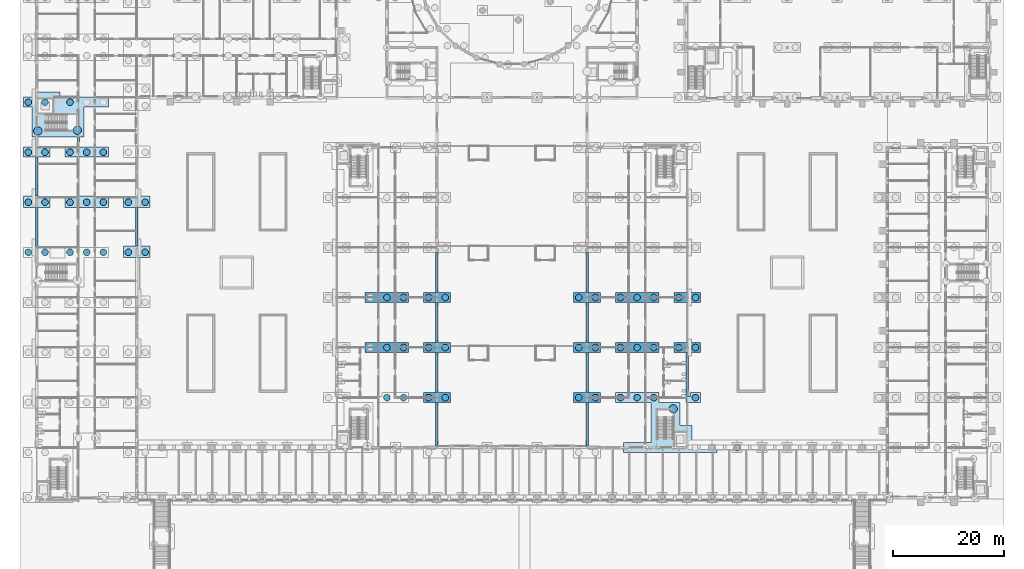
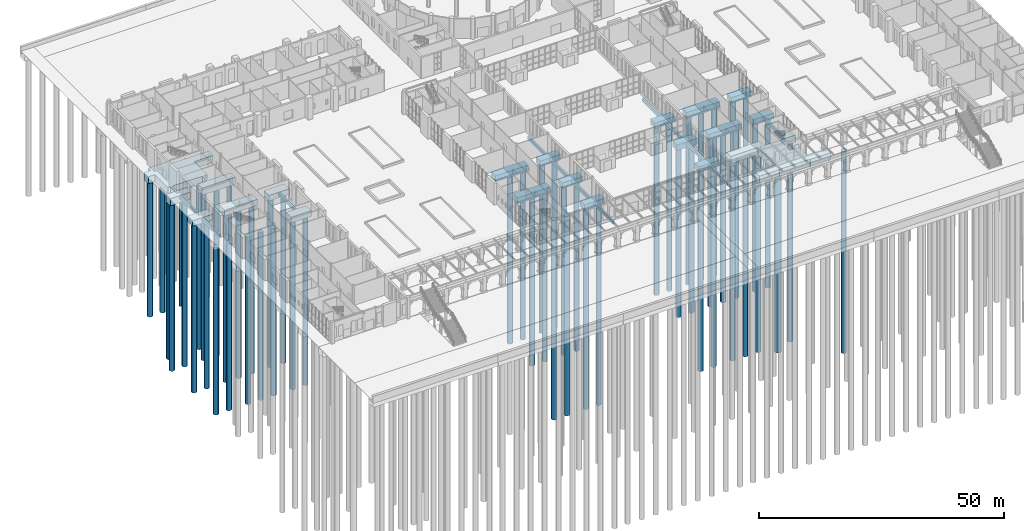
# One storey, part 3 of 168: 58 piles, 30 footings.
"""IFC4 building model written with IfcOpenShell, lengths in metres."""

import ifcopenshell
import ifcopenshell.guid

model = None  # the IFC model being written
_history = None  # IfcOwnerHistory: only IFC2X3 demands one
_inside = {}  # id of a spatial element -> (the spatial element, [elements in it])
_under = {}  # id of a project, library or spatial element -> (it, [spatial elements below it])
_declared = {}  # id of a project -> (the project, [libraries it declares])
_typed = {}  # id of a type object -> (the type object, [elements of that type])
_made_of = {}  # id of a material, layer set ... -> (it, [elements and type objects made of it])


def new_model(schema):
    """Start an empty IFC model of exactly this schema.

    Asked for "IFC4X3", IfcOpenShell would pick the latest addendum, in which some entities
    have other attributes; the version numbers below select the first issue.
    IFC2X3 requires an IfcOwnerHistory on every rooted entity: one is made here for all.
    """
    global model, _history
    if schema == "IFC4X3":
        model = ifcopenshell.file(schema_version=(4, 3, 0, 0))
    else:
        model = ifcopenshell.file(schema=schema)
    _inside.clear()
    _under.clear()
    _declared.clear()
    _typed.clear()
    _made_of.clear()
    _history = None
    if model.schema == "IFC2X3":
        org = make("IfcOrganization", Name="unknown")
        user = make(
            "IfcPersonAndOrganization",
            ThePerson=make("IfcPerson", FamilyName="unknown"),
            TheOrganization=org,
        )
        app = make(
            "IfcApplication",
            ApplicationDeveloper=org,
            Version="unknown",
            ApplicationFullName="unknown",
            ApplicationIdentifier="unknown",
        )
        _history = make(
            "IfcOwnerHistory",
            OwningUser=user,
            OwningApplication=app,
            ChangeAction="ADDED",
            CreationDate=0,
        )
    return model


def make(cls, **values):
    """One entity of the class cls with the attributes given. An attribute that is None is left unset."""
    return model.create_entity(
        cls, **{name: value for name, value in values.items() if value is not None}
    )


def rooted(cls, **values):
    """An entity with a GlobalId (a new one), such as an element, a storey or a relation."""
    return make(cls, GlobalId=ifcopenshell.guid.new(), OwnerHistory=_history, **values)


def si_unit(unit_type, name, prefix=None):
    """IfcSIUnit, for example si_unit("LENGTHUNIT", "METRE", prefix="MILLI")."""
    return make("IfcSIUnit", UnitType=unit_type, Prefix=prefix, Name=name)


def assignment(units):
    """IfcUnitAssignment: the units of a project."""
    return None if units is None else make("IfcUnitAssignment", Units=units)


def point(xyz):
    """IfcCartesianPoint."""
    return None if xyz is None else make("IfcCartesianPoint", Coordinates=xyz)


def direction(xyz):
    """IfcDirection."""
    return None if xyz is None else make("IfcDirection", DirectionRatios=xyz)


def frame(location, z_axis=None, x_axis=None):
    """IfcAxis2Placement3D, a coordinate frame: its origin and axes. An axis left out is left unset."""
    return make(
        "IfcAxis2Placement3D",
        Location=point(location),
        Axis=direction(z_axis),
        RefDirection=direction(x_axis),
    )


def frame_2d(location, x_axis=None):
    """IfcAxis2Placement2D, a coordinate frame in the plane: its origin and x axis."""
    return make(
        "IfcAxis2Placement2D", Location=point(location), RefDirection=direction(x_axis)
    )


def origin():
    """The frame at (0, 0, 0) with its axes left unset."""
    return frame((0.0, 0.0, 0.0))


def origin_2d():
    """The frame at (0, 0) in the plane with its x axis left unset."""
    return frame_2d((0.0, 0.0))


def place(relative_to, where):
    """IfcLocalPlacement: puts the frame where relative to a parent placement (None: the world)."""
    return make(
        "IfcLocalPlacement", PlacementRelTo=relative_to, RelativePlacement=where
    )


def context(
    kind, dimensions, precision=None, world=None, true_north=None, identifier=None
):
    """IfcGeometricRepresentationContext, for example the 3D "Model" context."""
    return make(
        "IfcGeometricRepresentationContext",
        ContextIdentifier=identifier,
        ContextType=kind,
        CoordinateSpaceDimension=dimensions,
        Precision=precision,
        WorldCoordinateSystem=world,
        TrueNorth=true_north,
    )


def subcontext(parent, identifier, kind, view, scale=None):
    """IfcGeometricRepresentationSubContext, for example "Body" below "Model"."""
    return make(
        "IfcGeometricRepresentationSubContext",
        ContextIdentifier=identifier,
        ContextType=kind,
        ParentContext=parent,
        TargetScale=scale,
        TargetView=view,
    )


def project(units=None, contexts=None):
    """IfcProject with its units and contexts."""
    return rooted(
        "IfcProject",
        Name="project",
        RepresentationContexts=contexts,
        UnitsInContext=assignment(units),
    )


def spatial(cls, under=None, at=None, **own):
    """A site, building, storey or space (cls), placed at a placement, below another one or the project."""
    s = rooted(cls, ObjectPlacement=at, **own)
    if under is not None:
        _under.setdefault(under.id(), (under, []))[1].append(s)
    return s


def polyline(points):
    """IfcPolyline through the points."""
    return make("IfcPolyline", Points=[point(p) for p in points])


def profile(cls, at=None, kind="AREA", **sizes):
    """A parametric profile (cls). Its sizes go by their IFC names, for example OverallWidth=200.0."""
    return make(cls, ProfileType=kind, Position=at, **sizes)


def circle(**sizes):
    """IfcCircleProfileDef."""
    return profile("IfcCircleProfileDef", **sizes)


def outline(outer, holes=None, kind="AREA"):
    """IfcArbitraryClosedProfileDef: a profile drawn as a closed curve; with holes, ...WithVoids."""
    if holes is None:
        return make("IfcArbitraryClosedProfileDef", ProfileType=kind, OuterCurve=outer)
    return make(
        "IfcArbitraryProfileDefWithVoids",
        ProfileType=kind,
        OuterCurve=outer,
        InnerCurves=holes,
    )


def extrude(swept, where, along, depth):
    """IfcExtrudedAreaSolid: the profile swept, set in the frame where, extruded along a direction by depth."""
    return make(
        "IfcExtrudedAreaSolid",
        SweptArea=swept,
        Position=where,
        ExtrudedDirection=direction(along),
        Depth=depth,
    )


def shape(context_of_items, identifier, shape_type, items):
    """IfcShapeRepresentation: the items that make up one representation, for example the "Body"."""
    return make(
        "IfcShapeRepresentation",
        ContextOfItems=context_of_items,
        RepresentationIdentifier=identifier,
        RepresentationType=shape_type,
        Items=items,
    )


def material(Name=None, Category=None):
    """IfcMaterial."""
    return make("IfcMaterial", Name=Name, Category=Category)


def material_profile(
    of_material, cross_section, Name=None, Category=None, Priority=None
):
    """IfcMaterialProfile: a cross section and its material."""
    return make(
        "IfcMaterialProfile",
        Name=Name,
        Material=of_material,
        Profile=cross_section,
        Priority=Priority,
        Category=Category,
    )


def profile_set(profiles, Name=None, composite=None):
    """IfcMaterialProfileSet."""
    return make(
        "IfcMaterialProfileSet",
        Name=Name,
        MaterialProfiles=profiles,
        CompositeProfile=composite,
    )


def made_of(thing, what):
    """Note that an element or type object is made of a material, layer set ...; save() writes the relation."""
    if what is not None:
        _made_of.setdefault(what.id(), (what, []))[1].append(thing)
    return thing


def type_object(cls, material=None, **own):
    """A type object (cls), such as IfcWallType, which elements share."""
    return made_of(rooted(cls, **own), material)


def element(
    cls,
    number,
    at=None,
    inside=None,
    cuts=None,
    type_object=None,
    material=None,
    context=None,
    identifier="Body",
    shape_type=None,
    held_by="IfcProductDefinitionShape",
    body=None,
    shapes=None,
    **own,
):
    """One element of the class cls, such as IfcWall. Its Tag is "e" and its number.

    at: its placement. inside: the storey or other place that contains it. cuts: it is an
    opening in that element (IfcRelVoidsElement). A single representation is given by context,
    identifier, shape_type and body (its items); several are given by shapes. held_by: the class
    of the entity that holds the representations. save() writes the other relations.
    """
    e = rooted(cls, Tag="e%d" % number, ObjectPlacement=at, **own)
    if body is not None:
        shapes = [shape(context, identifier, shape_type, body)]
    if shapes is not None:
        e.Representation = make(held_by, Representations=shapes)
    if inside is not None:
        _inside.setdefault(inside.id(), (inside, []))[1].append(e)
    if cuts is not None:
        rooted(
            "IfcRelVoidsElement", RelatingBuildingElement=cuts, RelatedOpeningElement=e
        )
    if type_object is not None:
        _typed.setdefault(type_object.id(), (type_object, []))[1].append(e)
    return made_of(e, material)


def aggregate(whole, parts):
    """IfcRelAggregates: a whole, such as a stair, and the parts it consists of."""
    return rooted("IfcRelAggregates", RelatingObject=whole, RelatedObjects=parts)


def save(model, path):
    """Write the relations noted so far, then the file.

    IfcRelAggregates (storeys below a building ...), IfcRelContainedInSpatialStructure (elements
    in a storey), IfcRelDefinesByType, IfcRelAssociatesMaterial and IfcRelDeclares: one each for
    every whole, place, type object, material and project.
    """
    for whole, parts in _under.values():
        aggregate(whole, parts)
    for where, things in _inside.values():
        rooted(
            "IfcRelContainedInSpatialStructure",
            RelatedElements=things,
            RelatingStructure=where,
        )
    for kind, things in _typed.values():
        rooted("IfcRelDefinesByType", RelatedObjects=things, RelatingType=kind)
    for what, things in _made_of.values():
        rooted("IfcRelAssociatesMaterial", RelatedObjects=things, RelatingMaterial=what)
    for by, libraries in _declared.values():
        rooted("IfcRelDeclares", RelatingContext=by, RelatedDefinitions=libraries)
    model.write(path)


model = new_model("IFC4")

# Units and contexts
model_context = context("Model", 3, precision=1e-05, world=origin(), true_north=direction((0.0, 1.0)))
body_context = subcontext(model_context, "Body", "Model", "MODEL_VIEW")
ifc_project = project(units=[si_unit("LENGTHUNIT", "METRE"), si_unit("AREAUNIT", "SQUARE_METRE"), si_unit("VOLUMEUNIT", "CUBIC_METRE"), si_unit("PLANEANGLEUNIT", "RADIAN"), si_unit("MASSUNIT", "GRAM", prefix="KILO")], contexts=[model_context])

# Site, building, storey
site_placement = place(None, origin())
site = spatial("IfcSite", under=ifc_project, at=site_placement, CompositionType="ELEMENT")
building_placement = place(site_placement, origin())
building = spatial("IfcBuilding", under=site, at=building_placement, Name="Golden Quay Civic Hall", CompositionType="ELEMENT")
storey_placement = place(building_placement, origin())
storey = spatial("IfcBuildingStorey", under=building, at=storey_placement, Name="L00", CompositionType="ELEMENT", Elevation=0.0)

# Piles
ifc_material_1 = material(Name="Concrete C40/50", Category="concrete")
ifc_material_profile_1 = material_profile(ifc_material_1, circle(Radius=0.60009765625, at=origin_2d()), Name="RC D1200")
ifc_profile_set_1 = profile_set([ifc_material_profile_1], Name="Concrete C40/50")
pile_type_1 = type_object("IfcPileType", Name="Bored pile 1200", PredefinedType="BORED", material=ifc_profile_set_1)
for number, where, z_axis, x_axis, name in (
    (1, (-1.5, 35.134033203125, -2.300048828125), (0.0, 0.0, -1.0), (1.0, 0.0, 0.0), "PL1 bored pile"),
    (2, (1.5, 35.134033203125, -2.300048828125), (0.0, 0.0, -1.0), (1.0, 0.0, 0.0), "PL1 bored pile"),
    (3, (6.0, 35.134033203125, -2.300048828125), (0.0, 0.0, -1.0), (1.0, 0.0, 0.0), "PL1 bored pile"),
    (4, (9.0, 35.134033203125, -2.300048828125), (0.0, 0.0, -1.0), (1.0, 0.0, 0.0), "PL1 bored pile"),
    (5, (12.0, 35.134033203125, -2.300048828125), (0.0, 0.0, -1.0), (1.0, 0.0, 0.0), "PL1 bored pile"),
):
    element("IfcPile", number, at=place(storey_placement, frame(where, z_axis=z_axis, x_axis=x_axis)), inside=storey, type_object=pile_type_1, Name=name, PredefinedType="BORED", context=body_context, shape_type="SweptSolid", body=[
        extrude(circle(Radius=0.60009765625, at=origin_2d()), origin(), (0.0, 0.0, 1.0), 41.699951171875),
    ])
for number, where, z_axis, x_axis, name in (
    (6, (-1.5, 44.134033203125, -1.89990234375), (0.0, 0.0, -1.0), (1.0, 0.0, 0.0), "PL1 bored pile"),
    (7, (1.5, 44.134033203125, -1.89990234375), (0.0, 0.0, -1.0), (1.0, 0.0, 0.0), "PL1 bored pile"),
):
    element("IfcPile", number, at=place(storey_placement, frame(where, z_axis=z_axis, x_axis=x_axis)), inside=storey, type_object=pile_type_1, Name=name, PredefinedType="BORED", context=body_context, shape_type="SweptSolid", body=[
        extrude(circle(Radius=0.60009765625, at=origin_2d()), origin(), (0.0, 0.0, 1.0), 42.10009765625),
    ])
pile_1_placement = place(storey_placement, frame((-1.5, 53.134033203125, -2.300048828125), z_axis=(0.0, 0.0, -1.0), x_axis=(1.0, 0.0, 0.0)))
element("IfcPile", 8, at=pile_1_placement, inside=storey, type_object=pile_type_1, Name="PL1 bored pile", PredefinedType="BORED", context=body_context, shape_type="SweptSolid", body=[
    extrude(circle(Radius=0.60009765625, at=origin_2d()), origin(), (0.0, 0.0, 1.0), 41.699951171875),
])
pile_2_placement = place(storey_placement, frame((-1.5, 62.134033203125, -2.300048828125), z_axis=(0.0, 0.0, -1.0), x_axis=(1.0, 0.0, 0.0)))
element("IfcPile", 9, at=pile_2_placement, inside=storey, type_object=pile_type_1, Name="PL1 bored pile", PredefinedType="BORED", context=body_context, shape_type="SweptSolid", body=[
    extrude(circle(Radius=0.60009765625, at=origin_2d()), origin(), (0.0, 0.0, 1.0), 33.699951171875),
])
pile_3_placement = place(storey_placement, frame((1.5, 53.134033203125, -2.300048828125), z_axis=(0.0, 0.0, -1.0), x_axis=(1.0, 0.0, 0.0)))
element("IfcPile", 10, at=pile_3_placement, inside=storey, type_object=pile_type_1, Name="PL1 bored pile", PredefinedType="BORED", context=body_context, shape_type="SweptSolid", body=[
    extrude(circle(Radius=0.60009765625, at=origin_2d()), origin(), (0.0, 0.0, 1.0), 41.699951171875),
])
pile_4_placement = place(storey_placement, frame((1.5, 62.134033203125, -2.300048828125), z_axis=(0.0, 0.0, -1.0), x_axis=(1.0, 0.0, 0.0)))
element("IfcPile", 11, at=pile_4_placement, inside=storey, type_object=pile_type_1, Name="PL1 bored pile", PredefinedType="BORED", context=body_context, shape_type="SweptSolid", body=[
    extrude(circle(Radius=0.60009765625, at=origin_2d()), origin(), (0.0, 0.0, 1.0), 33.699951171875),
])
pile_5_placement = place(storey_placement, frame((6.0, 53.134033203125, -2.300048828125), z_axis=(0.0, 0.0, -1.0), x_axis=(1.0, 0.0, 0.0)))
element("IfcPile", 12, at=pile_5_placement, inside=storey, type_object=pile_type_1, Name="PL1 bored pile", PredefinedType="BORED", context=body_context, shape_type="SweptSolid", body=[
    extrude(circle(Radius=0.60009765625, at=origin_2d()), origin(), (0.0, 0.0, 1.0), 41.699951171875),
])
pile_6_placement = place(storey_placement, frame((6.0, 62.134033203125, -2.300048828125), z_axis=(0.0, 0.0, -1.0), x_axis=(1.0, 0.0, 0.0)))
element("IfcPile", 13, at=pile_6_placement, inside=storey, type_object=pile_type_1, Name="PL1 bored pile", PredefinedType="BORED", context=body_context, shape_type="SweptSolid", body=[
    extrude(circle(Radius=0.60009765625, at=origin_2d()), origin(), (0.0, 0.0, 1.0), 33.699951171875),
])
for number, where, z_axis, x_axis, name in (
    (14, (9.0, 53.134033203125, -2.300048828125), (0.0, 0.0, -1.0), (1.0, 0.0, 0.0), "PL1 bored pile"),
    (15, (12.0, 53.134033203125, -2.300048828125), (0.0, 0.0, -1.0), (1.0, 0.0, 0.0), "PL1 bored pile"),
):
    element("IfcPile", number, at=place(storey_placement, frame(where, z_axis=z_axis, x_axis=x_axis)), inside=storey, type_object=pile_type_1, Name=name, PredefinedType="BORED", context=body_context, shape_type="SweptSolid", body=[
        extrude(circle(Radius=0.60009765625, at=origin_2d()), origin(), (0.0, 0.0, 1.0), 41.699951171875),
    ])
for number, where, z_axis, x_axis, name in (
    (16, (6.0, 44.134033203125, -2.0), (0.0, 0.0, -1.0), (1.0, 0.0, 0.0), "PL1 bored pile"),
    (17, (9.0, 44.134033203125, -2.0), (0.0, 0.0, -1.0), (1.0, 0.0, 0.0), "PL1 bored pile"),
    (18, (12.0, 44.134033203125, -2.0), (0.0, 0.0, -1.0), (1.0, 0.0, 0.0), "PL1 bored pile"),
):
    element("IfcPile", number, at=place(storey_placement, frame(where, z_axis=z_axis, x_axis=x_axis)), inside=storey, type_object=pile_type_1, Name=name, PredefinedType="BORED", context=body_context, shape_type="SweptSolid", body=[
        extrude(circle(Radius=0.60009765625, at=origin_2d()), origin(), (0.0, 0.0, 1.0), 42.0),
    ])
for number, where, z_axis, x_axis, name in (
    (19, (16.5, 35.134033203125, -1.89990234375), (0.0, 0.0, -1.0), (1.0, 0.0, 0.0), "PL1 bored pile"),
    (20, (19.5, 35.134033203125, -1.89990234375), (0.0, 0.0, -1.0), (1.0, 0.0, 0.0), "PL1 bored pile"),
    (21, (16.5, 44.134033203125, -1.89990234375), (0.0, 0.0, -1.0), (1.0, 0.0, 0.0), "PL1 bored pile"),
    (22, (19.5, 44.134033203125, -1.89990234375), (0.0, 0.0, -1.0), (1.0, 0.0, 0.0), "PL1 bored pile"),
):
    element("IfcPile", number, at=place(storey_placement, frame(where, z_axis=z_axis, x_axis=x_axis)), inside=storey, type_object=pile_type_1, Name=name, PredefinedType="BORED", context=body_context, shape_type="SweptSolid", body=[
        extrude(circle(Radius=0.60009765625, at=origin_2d()), origin(), (0.0, 0.0, 1.0), 42.10009765625),
    ])
for number, where, z_axis, x_axis, name in (
    (23, (63.0, 9.0, -2.300048828125), (0.0, 0.0, -1.0), (1.0, 0.0, 0.0), "PL1 bored pile"),
    (24, (66.0, 9.0, -2.300048828125), (0.0, 0.0, -1.0), (1.0, 0.0, 0.0), "PL1 bored pile"),
):
    element("IfcPile", number, at=place(storey_placement, frame(where, z_axis=z_axis, x_axis=x_axis)), inside=storey, type_object=pile_type_1, Name=name, PredefinedType="BORED", context=body_context, shape_type="SweptSolid", body=[
        extrude(circle(Radius=0.60009765625, at=origin_2d()), origin(), (0.0, 0.0, 1.0), 49.699951171875),
    ])
for number, where, z_axis, x_axis, name in (
    (25, (63.0, 18.0, -2.0), (0.0, 0.0, -1.0), (1.0, 0.0, 0.0), "PL1 bored pile"),
    (26, (66.0, 18.0, -2.0), (0.0, 0.0, -1.0), (1.0, 0.0, 0.0), "PL1 bored pile"),
    (27, (63.0, 27.0, -2.0), (0.0, 0.0, -1.0), (1.0, 0.0, 0.0), "PL1 bored pile"),
    (28, (66.0, 27.0, -2.0), (0.0, 0.0, -1.0), (1.0, 0.0, 0.0), "PL1 bored pile"),
):
    element("IfcPile", number, at=place(storey_placement, frame(where, z_axis=z_axis, x_axis=x_axis)), inside=storey, type_object=pile_type_1, Name=name, PredefinedType="BORED", context=body_context, shape_type="SweptSolid", body=[
        extrude(circle(Radius=0.60009765625, at=origin_2d()), origin(), (0.0, 0.0, 1.0), 42.0),
    ])
for number, where, z_axis, x_axis, name in (
    (29, (70.5, 9.0, -1.89990234375), (0.0, 0.0, -1.0), (1.0, 0.0, 0.0), "PL1 bored pile"),
    (30, (73.5, 9.0, -1.89990234375), (0.0, 0.0, -1.0), (1.0, 0.0, 0.0), "PL1 bored pile"),
):
    element("IfcPile", number, at=place(storey_placement, frame(where, z_axis=z_axis, x_axis=x_axis)), inside=storey, type_object=pile_type_1, Name=name, PredefinedType="BORED", context=body_context, shape_type="SweptSolid", body=[
        extrude(circle(Radius=0.60009765625, at=origin_2d()), origin(), (0.0, 0.0, 1.0), 50.10009765625),
    ])
for number, where, z_axis, x_axis, name in (
    (31, (70.5, 18.0, -1.89990234375), (0.0, 0.0, -1.0), (1.0, 0.0, 0.0), "PL1 bored pile"),
    (32, (73.5, 18.0, -1.89990234375), (0.0, 0.0, -1.0), (1.0, 0.0, 0.0), "PL1 bored pile"),
    (33, (70.5, 27.0, -1.89990234375), (0.0, 0.0, -1.0), (1.0, 0.0, 0.0), "PL1 bored pile"),
    (34, (73.5, 27.0, -1.89990234375), (0.0, 0.0, -1.0), (1.0, 0.0, 0.0), "PL1 bored pile"),
):
    element("IfcPile", number, at=place(storey_placement, frame(where, z_axis=z_axis, x_axis=x_axis)), inside=storey, type_object=pile_type_1, Name=name, PredefinedType="BORED", context=body_context, shape_type="SweptSolid", body=[
        extrude(circle(Radius=0.60009765625, at=origin_2d()), origin(), (0.0, 0.0, 1.0), 42.10009765625),
    ])
for number, where, z_axis, x_axis, name in (
    (35, (97.5, 9.0, -1.89990234375), (0.0, 0.0, -1.0), (1.0, 0.0, 0.0), "PL1 bored pile"),
    (36, (100.5, 9.0, -1.89990234375), (0.0, 0.0, -1.0), (1.0, 0.0, 0.0), "PL1 bored pile"),
):
    element("IfcPile", number, at=place(storey_placement, frame(where, z_axis=z_axis, x_axis=x_axis)), inside=storey, type_object=pile_type_1, Name=name, PredefinedType="BORED", context=body_context, shape_type="SweptSolid", body=[
        extrude(circle(Radius=0.60009765625, at=origin_2d()), origin(), (0.0, 0.0, 1.0), 50.10009765625),
    ])
for number, where, z_axis, x_axis, name in (
    (37, (97.5, 18.0, -1.89990234375), (0.0, 0.0, -1.0), (1.0, 0.0, 0.0), "PL1 bored pile"),
    (38, (100.5, 18.0, -1.89990234375), (0.0, 0.0, -1.0), (1.0, 0.0, 0.0), "PL1 bored pile"),
    (39, (97.5, 27.0, -1.89990234375), (0.0, 0.0, -1.0), (1.0, 0.0, 0.0), "PL1 bored pile"),
    (40, (100.5, 27.0, -1.89990234375), (0.0, 0.0, -1.0), (1.0, 0.0, 0.0), "PL1 bored pile"),
):
    element("IfcPile", number, at=place(storey_placement, frame(where, z_axis=z_axis, x_axis=x_axis)), inside=storey, type_object=pile_type_1, Name=name, PredefinedType="BORED", context=body_context, shape_type="SweptSolid", body=[
        extrude(circle(Radius=0.60009765625, at=origin_2d()), origin(), (0.0, 0.0, 1.0), 42.10009765625),
    ])
for number, where, z_axis, x_axis, name in (
    (41, (105.0, 9.0, -2.300048828125), (0.0, 0.0, -1.0), (1.0, 0.0, 0.0), "PL1 bored pile"),
    (42, (108.0, 9.0, -2.300048828125), (0.0, 0.0, -1.0), (1.0, 0.0, 0.0), "PL1 bored pile"),
    (43, (111.0, 9.0, -2.300048828125), (0.0, 0.0, -1.0), (1.0, 0.0, 0.0), "PL1 bored pile"),
    (44, (118.5, 9.0, -2.300048828125), (0.0, 0.0, -1.0), (1.0, 0.0, 0.0), "PL1 bored pile"),
):
    element("IfcPile", number, at=place(storey_placement, frame(where, z_axis=z_axis, x_axis=x_axis)), inside=storey, type_object=pile_type_1, Name=name, PredefinedType="BORED", context=body_context, shape_type="SweptSolid", body=[
        extrude(circle(Radius=0.60009765625, at=origin_2d()), origin(), (0.0, 0.0, 1.0), 49.699951171875),
    ])
for number, where, z_axis, x_axis, name in (
    (45, (105.0, 18.0, -2.0), (0.0, 0.0, -1.0), (1.0, 0.0, 0.0), "PL1 bored pile"),
    (46, (108.0, 18.0, -2.0), (0.0, 0.0, -1.0), (1.0, 0.0, 0.0), "PL1 bored pile"),
    (47, (111.0, 18.0, -2.0), (0.0, 0.0, -1.0), (1.0, 0.0, 0.0), "PL1 bored pile"),
    (48, (105.0, 27.0, -2.0), (0.0, 0.0, -1.0), (1.0, 0.0, 0.0), "PL1 bored pile"),
    (49, (108.0, 27.0, -2.0), (0.0, 0.0, -1.0), (1.0, 0.0, 0.0), "PL1 bored pile"),
    (50, (111.0, 27.0, -2.0), (0.0, 0.0, -1.0), (1.0, 0.0, 0.0), "PL1 bored pile"),
):
    element("IfcPile", number, at=place(storey_placement, frame(where, z_axis=z_axis, x_axis=x_axis)), inside=storey, type_object=pile_type_1, Name=name, PredefinedType="BORED", context=body_context, shape_type="SweptSolid", body=[
        extrude(circle(Radius=0.60009765625, at=origin_2d()), origin(), (0.0, 0.0, 1.0), 42.0),
    ])
for number, where, z_axis, x_axis, name in (
    (51, (115.5, 18.0, -1.89990234375), (0.0, 0.0, -1.0), (1.0, 0.0, 0.0), "PL1 bored pile"),
    (52, (118.5, 18.0, -1.89990234375), (0.0, 0.0, -1.0), (1.0, 0.0, 0.0), "PL1 bored pile"),
    (53, (115.5, 27.0, -1.89990234375), (0.0, 0.0, -1.0), (1.0, 0.0, 0.0), "PL1 bored pile"),
    (54, (118.5, 27.0, -1.89990234375), (0.0, 0.0, -1.0), (1.0, 0.0, 0.0), "PL1 bored pile"),
):
    element("IfcPile", number, at=place(storey_placement, frame(where, z_axis=z_axis, x_axis=x_axis)), inside=storey, type_object=pile_type_1, Name=name, PredefinedType="BORED", context=body_context, shape_type="SweptSolid", body=[
        extrude(circle(Radius=0.60009765625, at=origin_2d()), origin(), (0.0, 0.0, 1.0), 42.10009765625),
    ])
pile_7_placement = place(storey_placement, frame((126.0, 0.0, -1.699951171875), z_axis=(0.0, 0.0, -1.0), x_axis=(1.0, 0.0, 0.0)))
element("IfcPile", 55, at=pile_7_placement, inside=storey, type_object=pile_type_1, Name="PL1 bored pile", PredefinedType="BORED", context=body_context, shape_type="SweptSolid", body=[
    extrude(circle(Radius=0.60009765625, at=origin_2d()), origin(), (0.0, 0.0, 1.0), 50.300048828125),
])
ifc_material_2 = material(Name="Concrete C40/50", Category="concrete")
ifc_material_profile_2 = material_profile(ifc_material_2, circle(Radius=0.75, at=origin_2d()), Name="RC D1500")
ifc_profile_set_2 = profile_set([ifc_material_profile_2], Name="Concrete C40/50")
pile_type_2 = type_object("IfcPileType", Name="Bored pile 1500", PredefinedType="BORED", material=ifc_profile_set_2)
for number, where, z_axis, x_axis, name in (
    (56, (0.199951171875, 56.949951171875, -2.300048828125), (0.0, 0.0, -1.0), (1.0, 0.0, 0.0), "PL2 bored pile"),
    (57, (7.300048828125, 57.074951171875, -2.300048828125), (0.0, 0.0, -1.0), (1.0, 0.0, 0.0), "PL2 bored pile"),
):
    element("IfcPile", number, at=place(storey_placement, frame(where, z_axis=z_axis, x_axis=x_axis)), inside=storey, type_object=pile_type_2, Name=name, PredefinedType="BORED", context=body_context, shape_type="SweptSolid", body=[
        extrude(circle(Radius=0.75, at=origin_2d()), origin(), (0.0, 0.0, 1.0), 41.699951171875),
    ])
pile_8_placement = place(storey_placement, frame((114.5, 6.97509765625, -2.300048828125), z_axis=(0.0, 0.0, -1.0), x_axis=(1.0, 0.0, 0.0)))
element("IfcPile", 58, at=pile_8_placement, inside=storey, type_object=pile_type_2, Name="PL2 bored pile", PredefinedType="BORED", context=body_context, shape_type="SweptSolid", body=[
    extrude(circle(Radius=0.75, at=origin_2d()), origin(), (0.0, 0.0, 1.0), 49.699951171875),
])

# Footings
ifc_material_3 = material(Name="Concrete C40/50", Category="concrete")
footing_type_1 = type_object("IfcFootingType", Name="Ground beam 450 x 800", PredefinedType="FOOTING_BEAM", material=ifc_material_3)
footing_1_placement = place(storey_placement, frame((0.0, 0.0, -1.39990234375)))
element("IfcFooting", 59, at=footing_1_placement, inside=storey, type_object=footing_type_1, Name="F15 ground beam", PredefinedType="FOOTING_BEAM", context=body_context, shape_type="SweptSolid", body=[
    extrude(outline(polyline([(117.22509765625, 9.195068359375), (116.77490234375, 9.195068359375), (116.77490234375, 17.10009765625), (117.22509765625, 17.10009765625), (117.22509765625, 9.195068359375)])), origin(), (0.0, 0.0, 1.0), 0.7998046875),
])
footing_2_placement = place(storey_placement, frame((0.0, 0.0, -1.39990234375)))
element("IfcFooting", 60, at=footing_2_placement, inside=storey, type_object=footing_type_1, Name="F15 ground beam", PredefinedType="FOOTING_BEAM", context=body_context, shape_type="SweptSolid", body=[
    extrude(outline(polyline([(98.77490234375, 8.10009765625), (99.22509765625, 8.10009765625), (99.22509765625, 0.263916015625), (98.77490234375, 0.263916015625), (98.77490234375, 8.10009765625)])), origin(), (0.0, 0.0, 1.0), 0.7998046875),
])
footing_3_placement = place(storey_placement, frame((0.0, 0.0, -1.39990234375)))
element("IfcFooting", 61, at=footing_3_placement, inside=storey, type_object=footing_type_1, Name="F15 ground beam", PredefinedType="FOOTING_BEAM", context=body_context, shape_type="SweptSolid", body=[
    extrude(outline(polyline([(98.77490234375, 17.10009765625), (99.22509765625, 17.10009765625), (99.22509765625, 9.89990234375), (98.77490234375, 9.89990234375), (98.77490234375, 17.10009765625)])), origin(), (0.0, 0.0, 1.0), 0.7998046875),
])
footing_4_placement = place(storey_placement, frame((0.0, 0.0, -1.39990234375)))
element("IfcFooting", 62, at=footing_4_placement, inside=storey, type_object=footing_type_1, Name="F15 ground beam", PredefinedType="FOOTING_BEAM", context=body_context, shape_type="SweptSolid", body=[
    extrude(outline(polyline([(98.77490234375, 26.10009765625), (99.22509765625, 26.10009765625), (99.22509765625, 18.89990234375), (98.77490234375, 18.89990234375), (98.77490234375, 26.10009765625)])), origin(), (0.0, 0.0, 1.0), 0.7998046875),
])
footing_5_placement = place(storey_placement, frame((0.0, 0.0, -1.39990234375)))
element("IfcFooting", 63, at=footing_5_placement, inside=storey, type_object=footing_type_1, Name="F15 ground beam", PredefinedType="FOOTING_BEAM", context=body_context, shape_type="SweptSolid", body=[
    extrude(outline(polyline([(98.77490234375, 35.10009765625), (99.22509765625, 35.10009765625), (99.22509765625, 27.89990234375), (98.77490234375, 27.89990234375), (98.77490234375, 35.10009765625)])), origin(), (0.0, 0.0, 1.0), 0.7998046875),
])
footing_6_placement = place(storey_placement, frame((0.0, 0.0, -1.39990234375)))
element("IfcFooting", 64, at=footing_6_placement, inside=storey, type_object=footing_type_1, Name="F15 ground beam", PredefinedType="FOOTING_BEAM", context=body_context, shape_type="SweptSolid", body=[
    extrude(outline(polyline([(72.22509765625, 0.263916015625), (71.77490234375, 0.263916015625), (71.77490234375, 8.10009765625), (72.22509765625, 8.10009765625), (72.22509765625, 0.263916015625)])), origin(), (0.0, 0.0, 1.0), 0.7998046875),
])
footing_7_placement = place(storey_placement, frame((0.0, 0.0, -1.39990234375)))
element("IfcFooting", 65, at=footing_7_placement, inside=storey, type_object=footing_type_1, Name="F15 ground beam", PredefinedType="FOOTING_BEAM", context=body_context, shape_type="SweptSolid", body=[
    extrude(outline(polyline([(72.22509765625, 9.89990234375), (71.77490234375, 9.89990234375), (71.77490234375, 17.10009765625), (72.22509765625, 17.10009765625), (72.22509765625, 9.89990234375)])), origin(), (0.0, 0.0, 1.0), 0.7998046875),
])
footing_8_placement = place(storey_placement, frame((0.0, 0.0, -1.39990234375)))
element("IfcFooting", 66, at=footing_8_placement, inside=storey, type_object=footing_type_1, Name="F15 ground beam", PredefinedType="FOOTING_BEAM", context=body_context, shape_type="SweptSolid", body=[
    extrude(outline(polyline([(72.22509765625, 18.89990234375), (71.77490234375, 18.89990234375), (71.77490234375, 26.10009765625), (72.22509765625, 26.10009765625), (72.22509765625, 18.89990234375)])), origin(), (0.0, 0.0, 1.0), 0.7998046875),
])
footing_9_placement = place(storey_placement, frame((0.0, 0.0, -1.39990234375)))
element("IfcFooting", 67, at=footing_9_placement, inside=storey, type_object=footing_type_1, Name="F15 ground beam", PredefinedType="FOOTING_BEAM", context=body_context, shape_type="SweptSolid", body=[
    extrude(outline(polyline([(72.22509765625, 27.89990234375), (71.77490234375, 27.89990234375), (71.77490234375, 35.10009765625), (72.22509765625, 35.10009765625), (72.22509765625, 27.89990234375)])), origin(), (0.0, 0.0, 1.0), 0.7998046875),
])
footing_10_placement = place(storey_placement, frame((0.0, 0.0, -1.39990234375)))
element("IfcFooting", 68, at=footing_10_placement, inside=storey, type_object=footing_type_1, Name="F15 ground beam", PredefinedType="FOOTING_BEAM", context=body_context, shape_type="SweptSolid", body=[
    extrude(outline(polyline([(18.22509765625, 36.26708984375), (17.77490234375, 36.26708984375), (17.77490234375, 43.1669921875), (18.22509765625, 43.1669921875), (18.22509765625, 36.26708984375)])), origin(), (0.0, 0.0, 1.0), 0.7998046875),
])
footing_11_placement = place(storey_placement, frame((0.0, 0.0, -1.39990234375)))
element("IfcFooting", 69, at=footing_11_placement, inside=storey, type_object=footing_type_1, Name="F15 ground beam", PredefinedType="FOOTING_BEAM", context=body_context, shape_type="SweptSolid", body=[
    extrude(outline(polyline([(-0.22509765625, 43.1669921875), (0.22509765625, 43.1669921875), (0.22509765625, 36.199951171875), (-0.22509765625, 36.199951171875), (-0.22509765625, 43.1669921875)])), origin(), (0.0, 0.0, 1.0), 0.7998046875),
])
footing_12_placement = place(storey_placement, frame((0.0, 0.0, -1.39990234375)))
element("IfcFooting", 70, at=footing_12_placement, inside=storey, type_object=footing_type_1, Name="F15 ground beam", PredefinedType="FOOTING_BEAM", context=body_context, shape_type="SweptSolid", body=[
    extrude(outline(polyline([(-0.22509765625, 52.23388671875), (0.22509765625, 52.23388671875), (0.22509765625, 45.26708984375), (-0.22509765625, 45.26708984375), (-0.22509765625, 52.23388671875)])), origin(), (0.0, 0.0, 1.0), 0.7998046875),
])
ifc_material_4 = material(Name="Concrete C40/50", Category="concrete")
footing_type_2 = type_object("IfcFootingType", Name="Pile cap 2 piles 4800 x 1800 x 1400", PredefinedType="PILE_CAP", material=ifc_material_4)
footing_13_placement = place(storey_placement, frame((0.0, 0.0, -2.0)))
element("IfcFooting", 71, at=footing_13_placement, inside=storey, type_object=footing_type_2, Name="F4 pile cap", PredefinedType="PILE_CAP", context=body_context, shape_type="SweptSolid", body=[
    extrude(outline(polyline([(74.39990234375, 8.10009765625), (74.39990234375, 9.89990234375), (69.60009765625, 9.89990234375), (69.60009765625, 8.10009765625), (74.39990234375, 8.10009765625)])), origin(), (0.0, 0.0, 1.0), 1.39990234375),
])
footing_14_placement = place(storey_placement, frame((0.0, 0.0, -2.0)))
element("IfcFooting", 72, at=footing_14_placement, inside=storey, type_object=footing_type_2, Name="F4 pile cap", PredefinedType="PILE_CAP", context=body_context, shape_type="SweptSolid", body=[
    extrude(outline(polyline([(74.39990234375, 17.10009765625), (74.39990234375, 18.89990234375), (69.60009765625, 18.89990234375), (69.60009765625, 17.10009765625), (74.39990234375, 17.10009765625)])), origin(), (0.0, 0.0, 1.0), 1.39990234375),
])
footing_15_placement = place(storey_placement, frame((0.0, 0.0, -2.0)))
element("IfcFooting", 73, at=footing_15_placement, inside=storey, type_object=footing_type_2, Name="F4 pile cap", PredefinedType="PILE_CAP", context=body_context, shape_type="SweptSolid", body=[
    extrude(outline(polyline([(74.39990234375, 26.10009765625), (74.39990234375, 27.89990234375), (69.60009765625, 27.89990234375), (69.60009765625, 26.10009765625), (74.39990234375, 26.10009765625)])), origin(), (0.0, 0.0, 1.0), 1.39990234375),
])
footing_16_placement = place(storey_placement, frame((0.0, 0.0, -2.0)))
element("IfcFooting", 74, at=footing_16_placement, inside=storey, type_object=footing_type_2, Name="F4 pile cap", PredefinedType="PILE_CAP", context=body_context, shape_type="SweptSolid", body=[
    extrude(outline(polyline([(101.39990234375, 8.10009765625), (101.39990234375, 9.89990234375), (96.60009765625, 9.89990234375), (96.60009765625, 8.10009765625), (101.39990234375, 8.10009765625)])), origin(), (0.0, 0.0, 1.0), 1.39990234375),
])
footing_17_placement = place(storey_placement, frame((0.0, 0.0, -2.0)))
element("IfcFooting", 75, at=footing_17_placement, inside=storey, type_object=footing_type_2, Name="F4 pile cap", PredefinedType="PILE_CAP", context=body_context, shape_type="SweptSolid", body=[
    extrude(outline(polyline([(101.39990234375, 17.10009765625), (101.39990234375, 18.89990234375), (96.60009765625, 18.89990234375), (96.60009765625, 17.10009765625), (101.39990234375, 17.10009765625)])), origin(), (0.0, 0.0, 1.0), 1.39990234375),
])
footing_18_placement = place(storey_placement, frame((0.0, 0.0, -2.0)))
element("IfcFooting", 76, at=footing_18_placement, inside=storey, type_object=footing_type_2, Name="F4 pile cap", PredefinedType="PILE_CAP", context=body_context, shape_type="SweptSolid", body=[
    extrude(outline(polyline([(101.39990234375, 26.10009765625), (101.39990234375, 27.89990234375), (96.60009765625, 27.89990234375), (96.60009765625, 26.10009765625), (101.39990234375, 26.10009765625)])), origin(), (0.0, 0.0, 1.0), 1.39990234375),
])
footing_19_placement = place(storey_placement, frame((0.0, 0.0, -2.0)))
element("IfcFooting", 77, at=footing_19_placement, inside=storey, type_object=footing_type_2, Name="F4 pile cap", PredefinedType="PILE_CAP", context=body_context, shape_type="SweptSolid", body=[
    extrude(outline(polyline([(119.39990234375, 17.10009765625), (119.39990234375, 18.89990234375), (114.60009765625, 18.89990234375), (114.60009765625, 17.10009765625), (119.39990234375, 17.10009765625)])), origin(), (0.0, 0.0, 1.0), 1.39990234375),
])
footing_20_placement = place(storey_placement, frame((0.0, 0.0, -2.0)))
element("IfcFooting", 78, at=footing_20_placement, inside=storey, type_object=footing_type_2, Name="F4 pile cap", PredefinedType="PILE_CAP", context=body_context, shape_type="SweptSolid", body=[
    extrude(outline(polyline([(119.39990234375, 26.10009765625), (119.39990234375, 27.89990234375), (114.60009765625, 27.89990234375), (114.60009765625, 26.10009765625), (119.39990234375, 26.10009765625)])), origin(), (0.0, 0.0, 1.0), 1.39990234375),
])
ifc_material_5 = material(Name="Concrete C40/50", Category="concrete")
footing_type_3 = type_object("IfcFootingType", Name="Pile cap 2 piles 4800 x 2100 x 1400", PredefinedType="PILE_CAP", material=ifc_material_5)
footing_21_placement = place(storey_placement, frame((0.0, 0.0, -2.0)))
element("IfcFooting", 79, at=footing_21_placement, inside=storey, type_object=footing_type_3, Name="F2 pile cap", PredefinedType="PILE_CAP", context=body_context, shape_type="SweptSolid", body=[
    extrude(outline(polyline([(2.39990234375, 43.1669921875), (2.39990234375, 45.26708984375), (-2.39990234375, 45.26708984375), (-2.39990234375, 43.1669921875), (2.39990234375, 43.1669921875)])), origin(), (0.0, 0.0, 1.0), 1.39990234375),
])
footing_22_placement = place(storey_placement, frame((0.0, 0.0, -2.0)))
element("IfcFooting", 80, at=footing_22_placement, inside=storey, type_object=footing_type_3, Name="F2 pile cap", PredefinedType="PILE_CAP", context=body_context, shape_type="SweptSolid", body=[
    extrude(outline(polyline([(20.39990234375, 34.1669921875), (20.39990234375, 36.26708984375), (15.60009765625, 36.26708984375), (15.60009765625, 34.1669921875), (20.39990234375, 34.1669921875)])), origin(), (0.0, 0.0, 1.0), 1.39990234375),
])
footing_23_placement = place(storey_placement, frame((0.0, 0.0, -2.0)))
element("IfcFooting", 81, at=footing_23_placement, inside=storey, type_object=footing_type_3, Name="F2 pile cap", PredefinedType="PILE_CAP", context=body_context, shape_type="SweptSolid", body=[
    extrude(outline(polyline([(20.39990234375, 43.1669921875), (20.39990234375, 45.26708984375), (15.60009765625, 45.26708984375), (15.60009765625, 43.1669921875), (20.39990234375, 43.1669921875)])), origin(), (0.0, 0.0, 1.0), 1.39990234375),
])
ifc_material_6 = material(Name="Concrete C40/50", Category="concrete")
footing_type_4 = type_object("IfcFootingType", Name="Pile cap 3 piles 7800 x 1800 x 1500", PredefinedType="PILE_CAP", material=ifc_material_6)
footing_24_placement = place(storey_placement, frame((0.0, 0.0, -2.10009765625)))
element("IfcFooting", 82, at=footing_24_placement, inside=storey, type_object=footing_type_4, Name="F7 pile cap", PredefinedType="PILE_CAP", context=body_context, shape_type="SweptSolid", body=[
    extrude(outline(polyline([(66.89990234375, 17.10009765625), (66.89990234375, 18.89990234375), (59.10009765625, 18.89990234375), (59.10009765625, 17.10009765625), (66.89990234375, 17.10009765625)])), origin(), (0.0, 0.0, 1.0), 1.5),
])
footing_25_placement = place(storey_placement, frame((0.0, 0.0, -2.10009765625)))
element("IfcFooting", 83, at=footing_25_placement, inside=storey, type_object=footing_type_4, Name="F7 pile cap", PredefinedType="PILE_CAP", context=body_context, shape_type="SweptSolid", body=[
    extrude(outline(polyline([(66.89990234375, 26.10009765625), (66.89990234375, 27.89990234375), (59.10009765625, 27.89990234375), (59.10009765625, 26.10009765625), (66.89990234375, 26.10009765625)])), origin(), (0.0, 0.0, 1.0), 1.5),
])
footing_26_placement = place(storey_placement, frame((0.0, 0.0, -2.10009765625)))
element("IfcFooting", 84, at=footing_26_placement, inside=storey, type_object=footing_type_4, Name="F7 pile cap", PredefinedType="PILE_CAP", context=body_context, shape_type="SweptSolid", body=[
    extrude(outline(polyline([(111.89990234375, 17.10009765625), (111.89990234375, 18.89990234375), (104.10009765625, 18.89990234375), (104.10009765625, 17.10009765625), (111.89990234375, 17.10009765625)])), origin(), (0.0, 0.0, 1.0), 1.5),
])
footing_27_placement = place(storey_placement, frame((0.0, 0.0, -2.10009765625)))
element("IfcFooting", 85, at=footing_27_placement, inside=storey, type_object=footing_type_4, Name="F7 pile cap", PredefinedType="PILE_CAP", context=body_context, shape_type="SweptSolid", body=[
    extrude(outline(polyline([(111.89990234375, 26.10009765625), (111.89990234375, 27.89990234375), (104.10009765625, 27.89990234375), (104.10009765625, 26.10009765625), (111.89990234375, 26.10009765625)])), origin(), (0.0, 0.0, 1.0), 1.5),
])
ifc_material_7 = material(Name="Concrete C40/50", Category="concrete")
footing_type_5 = type_object("IfcFootingType", Name="Pile cap 3 piles 7800 x 2100 x 1500", PredefinedType="PILE_CAP", material=ifc_material_7)
footing_28_placement = place(storey_placement, frame((0.0, 0.0, -2.10009765625)))
element("IfcFooting", 86, at=footing_28_placement, inside=storey, type_object=footing_type_5, Name="F5 pile cap", PredefinedType="PILE_CAP", context=body_context, shape_type="SweptSolid", body=[
    extrude(outline(polyline([(12.89990234375, 43.181884765625), (12.89990234375, 45.281982421875), (5.10009765625, 45.281982421875), (5.10009765625, 43.181884765625), (12.89990234375, 43.181884765625)])), origin(), (0.0, 0.0, 1.0), 1.5),
])
ifc_material_8 = material(Name="Concrete C40/50", Category="concrete")
footing_type_6 = type_object("IfcFootingType", Name="Pile raft 1800 deep on 1500 mm piles", PredefinedType="PILE_CAP", material=ifc_material_8)
footing_29_placement = place(storey_placement, frame((0.0, 0.0, -2.39990234375)))
element("IfcFooting", 87, at=footing_29_placement, inside=storey, type_object=footing_type_6, Name="F1 pile cap", PredefinedType="PILE_CAP", context=body_context, shape_type="SweptSolid", body=[
    extrude(outline(polyline([(-0.85009765625, 55.89990234375), (-0.85009765625, 61.23388671875), (-2.39990234375, 61.23388671875), (-2.39990234375, 63.033935546875), (-0.85009765625, 63.033935546875), (-0.85009765625, 63.949951171875), (4.199951171875, 63.949951171875), (4.199951171875, 63.033935546875), (7.300048828125, 63.033935546875), (7.300048828125, 63.22998046875), (7.699951171875, 63.22998046875), (7.699951171875, 63.033935546875), (10.300048828125, 63.033935546875), (10.300048828125, 63.22998046875), (10.699951171875, 63.22998046875), (10.699951171875, 63.033935546875), (12.89990234375, 63.033935546875), (12.89990234375, 61.23388671875), (8.47509765625, 61.23388671875), (8.47509765625, 55.89990234375), (7.699951171875, 55.89990234375), (7.699951171875, 54.033935546875), (10.300048828125, 54.033935546875), (10.300048828125, 54.22998046875), (10.699951171875, 54.22998046875), (10.699951171875, 54.033935546875), (12.89990234375, 54.033935546875), (12.89990234375, 52.23388671875), (5.10009765625, 52.23388671875), (5.10009765625, 54.033935546875), (7.300048828125, 54.033935546875), (7.300048828125, 55.89990234375), (0.199951171875, 55.89990234375), (0.199951171875, 54.033935546875), (2.39990234375, 54.033935546875), (2.39990234375, 52.23388671875), (-2.39990234375, 52.23388671875), (-2.39990234375, 54.033935546875), (-0.199951171875, 54.033935546875), (-0.199951171875, 55.89990234375), (-0.85009765625, 55.89990234375)])), origin(), (0.0, 0.0, 1.0), 1.7998046875),
])
footing_30_placement = place(storey_placement, frame((0.0, 0.0, -2.39990234375)))
element("IfcFooting", 88, at=footing_30_placement, inside=storey, type_object=footing_type_6, Name="F1 pile cap", PredefinedType="PILE_CAP", context=body_context, shape_type="SweptSolid", body=[
    extrude(outline(polyline([(104.10009765625, 8.10009765625), (104.10009765625, 9.89990234375), (111.89990234375, 9.89990234375), (111.89990234375, 8.14990234375), (116.800048828125, 8.14990234375), (116.800048828125, 9.195068359375), (117.60009765625, 9.195068359375), (117.60009765625, 9.89990234375), (119.39990234375, 9.89990234375), (119.39990234375, 8.10009765625), (115.675048828125, 8.10009765625), (115.675048828125, 3.97509765625), (117.85009765625, 3.97509765625), (117.85009765625, 0.89990234375), (122.39990234375, 0.89990234375), (122.39990234375, -0.89990234375), (117.60009765625, -0.89990234375), (117.60009765625, -0.85009765625), (110.39990234375, -0.85009765625), (110.39990234375, -0.89990234375), (105.60009765625, -0.89990234375), (105.60009765625, 0.89990234375), (110.47509765625, 0.89990234375), (110.47509765625, 8.10009765625), (104.10009765625, 8.10009765625)])), origin(), (0.0, 0.0, 1.0), 1.7998046875),
])

save(model, "model.ifc")
